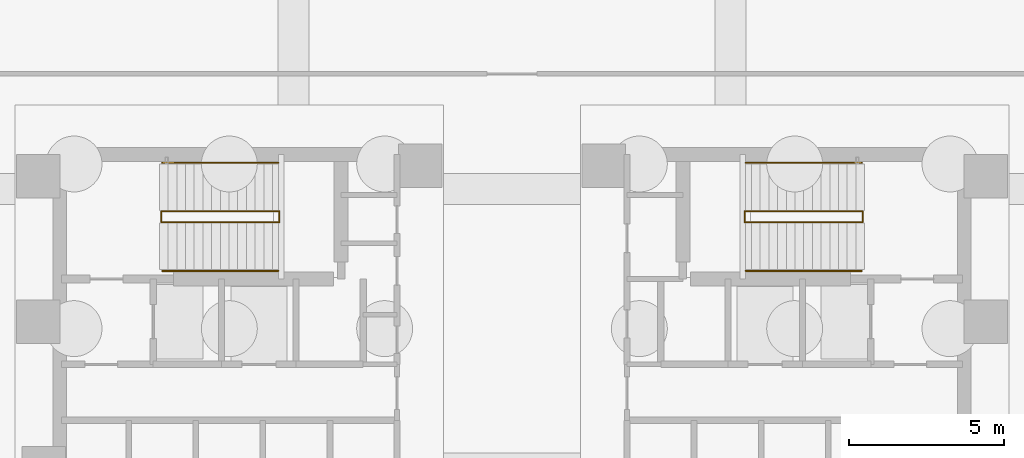
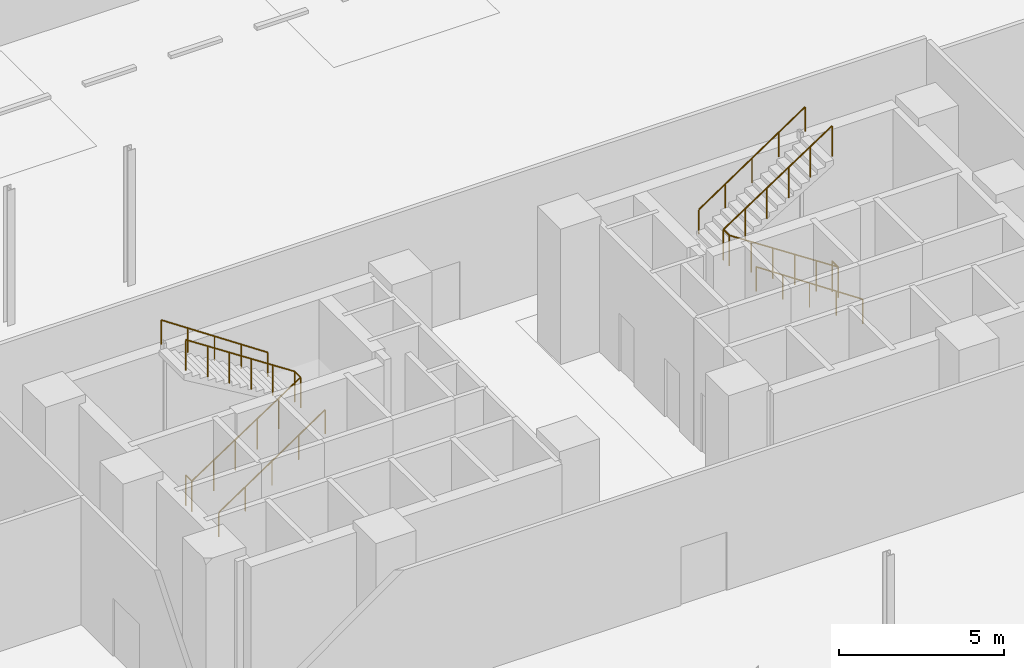
# One storey, part 15 of 16: 6 railings.
"""IFC4 building model written with IfcOpenShell, lengths in metres."""

from ifc_helpers import new_model, si_unit, direction, frame, origin, origin_2d, place, context, subcontext, project, spatial, circle, extrude, material, type_object, element, save


model = new_model("IFC4")

# Units and contexts
model_context = context("Model", 3, precision=1e-05, world=origin(), true_north=direction((0.0, 1.0)))
body_context = subcontext(model_context, "Body", "Model", "MODEL_VIEW")
ifc_project = project(units=[si_unit("LENGTHUNIT", "METRE"), si_unit("AREAUNIT", "SQUARE_METRE"), si_unit("VOLUMEUNIT", "CUBIC_METRE"), si_unit("PLANEANGLEUNIT", "RADIAN"), si_unit("MASSUNIT", "GRAM", prefix="KILO")], contexts=[model_context])

# Site, building, storey
site_placement = place(None, origin())
site = spatial("IfcSite", under=ifc_project, at=site_placement, CompositionType="ELEMENT")
building_placement = place(site_placement, origin())
building = spatial("IfcBuilding", under=site, at=building_placement, Name="Menara Jurai Vektor", CompositionType="ELEMENT")
storey_placement = place(building_placement, frame((0.0, 0.0, -5.0)))
storey = spatial("IfcBuildingStorey", under=building, at=storey_placement, Name="B1", CompositionType="ELEMENT", Elevation=-5.0)

# Railings
ifc_material_1 = material(Name="Painted Galvanised Steel Balustrade", Category="steel")
railing_type_1 = type_object("IfcRailingType", Name="RAIL-STAIR-GUARD", PredefinedType="GUARDRAIL", material=ifc_material_1)
railing_1_placement = place(storey_placement, frame((-11.2900390625, 3.780029296875, 0.0)))
element("IfcRailing", 1, at=railing_1_placement, inside=storey, type_object=railing_type_1, Name="ST1 Stair Guardrail 1 B1", PredefinedType="GUARDRAIL", context=body_context, shape_type="SweptSolid", body=[
    extrude(circle(Radius=0.02392578125, at=origin_2d()), frame((0.0, 0.0, 1.1259765625), z_axis=(0.0, -1.0, 0.0), x_axis=(1.0, 0.0, 0.0)), (0.0, 0.0, 1.0), 0.360107421875),
    extrude(circle(Radius=0.02392578125, at=origin_2d()), frame((0.0, -0.360107421875, 1.1259765625), z_axis=(0.835420324919, 0.0, 0.549611572578), x_axis=(0.0, 1.0, 0.0)), (0.0, 0.0, 1.0), 4.548583984375),
    extrude(circle(Radius=0.02392578125, at=origin_2d()), frame((3.800048828125, -0.360107421875, 3.6259765625), z_axis=(0.0, 1.0, 0.0), x_axis=(-1.0, 0.0, 0.0)), (0.0, 0.0, 1.0), 0.360107421875),
    extrude(circle(Radius=0.02392578125, at=origin_2d()), frame((3.800048828125, 0.0, 3.6259765625), z_axis=(-0.835420324919, 0.0, 0.549611572578), x_axis=(0.0, -1.0, 0.0)), (0.0, 0.0, 1.0), 4.548583984375),
    extrude(circle(Radius=0.02099609375, at=origin_2d()), origin(), (0.0, 0.0, 1.0), 1.101806640625),
    extrude(circle(Radius=0.02099609375, at=origin_2d()), frame((0.0, -0.360107421875, 0.0)), (0.0, 0.0, 1.0), 1.101806640625),
    extrude(circle(Radius=0.02099609375, at=origin_2d()), frame((0.760009765625, -0.360107421875, 0.5)), (0.0, 0.0, 1.0), 1.101806640625),
    extrude(circle(Radius=0.02099609375, at=origin_2d()), frame((1.52001953125, -0.360107421875, 1.0)), (0.0, 0.0, 1.0), 1.101806640625),
    extrude(circle(Radius=0.02099609375, at=origin_2d()), frame((2.280029296875, -0.360107421875, 1.5)), (0.0, 0.0, 1.0), 1.101806640625),
    extrude(circle(Radius=0.02099609375, at=origin_2d()), frame((3.0400390625, -0.360107421875, 2.0)), (0.0, 0.0, 1.0), 1.101806640625),
    extrude(circle(Radius=0.02099609375, at=origin_2d()), frame((3.800048828125, -0.360107421875, 2.5)), (0.0, 0.0, 1.0), 1.101806640625),
    extrude(circle(Radius=0.02099609375, at=origin_2d()), frame((3.800048828125, 0.0, 2.5)), (0.0, 0.0, 1.0), 1.101806640625),
    extrude(circle(Radius=0.02099609375, at=origin_2d()), frame((3.0400390625, 0.0, 3.0)), (0.0, 0.0, 1.0), 1.101806640625),
    extrude(circle(Radius=0.02099609375, at=origin_2d()), frame((2.280029296875, 0.0, 3.5)), (0.0, 0.0, 1.0), 1.101806640625),
    extrude(circle(Radius=0.02099609375, at=origin_2d()), frame((1.52001953125, 0.0, 4.0)), (0.0, 0.0, 1.0), 1.101806640625),
    extrude(circle(Radius=0.02099609375, at=origin_2d()), frame((0.760009765625, 0.0, 4.5)), (0.0, 0.0, 1.0), 1.101806640625),
    extrude(circle(Radius=0.02099609375, at=origin_2d()), frame((0.0, 0.0, 5.0)), (0.0, 0.0, 1.0), 1.101806640625),
])
railing_2_placement = place(storey_placement, frame((11.2900390625, 3.780029296875, 0.0)))
element("IfcRailing", 2, at=railing_2_placement, inside=storey, type_object=railing_type_1, Name="ST2 Stair Guardrail 1 B1", PredefinedType="GUARDRAIL", context=body_context, shape_type="SweptSolid", body=[
    extrude(circle(Radius=0.02392578125, at=origin_2d()), frame((0.0, 0.0, 1.1259765625), z_axis=(0.0, -1.0, 0.0), x_axis=(1.0, 0.0, 0.0)), (0.0, 0.0, 1.0), 0.360107421875),
    extrude(circle(Radius=0.02392578125, at=origin_2d()), frame((0.0, -0.360107421875, 1.1259765625), z_axis=(-0.835420324919, 0.0, 0.549611572578), x_axis=(0.0, -1.0, 0.0)), (0.0, 0.0, 1.0), 4.548583984375),
    extrude(circle(Radius=0.02392578125, at=origin_2d()), frame((-3.800048828125, -0.360107421875, 3.6259765625), z_axis=(0.0, 1.0, 0.0), x_axis=(-1.0, 0.0, 0.0)), (0.0, 0.0, 1.0), 0.360107421875),
    extrude(circle(Radius=0.02392578125, at=origin_2d()), frame((-3.800048828125, 0.0, 3.6259765625), z_axis=(0.835420324919, 0.0, 0.549611572578), x_axis=(0.0, 1.0, 0.0)), (0.0, 0.0, 1.0), 4.548583984375),
    extrude(circle(Radius=0.02099609375, at=origin_2d()), origin(), (0.0, 0.0, 1.0), 1.101806640625),
    extrude(circle(Radius=0.02099609375, at=origin_2d()), frame((0.0, -0.360107421875, 0.0)), (0.0, 0.0, 1.0), 1.101806640625),
    extrude(circle(Radius=0.02099609375, at=origin_2d()), frame((-0.760009765625, -0.360107421875, 0.5)), (0.0, 0.0, 1.0), 1.101806640625),
    extrude(circle(Radius=0.02099609375, at=origin_2d()), frame((-1.52001953125, -0.360107421875, 1.0)), (0.0, 0.0, 1.0), 1.101806640625),
    extrude(circle(Radius=0.02099609375, at=origin_2d()), frame((-2.280029296875, -0.360107421875, 1.5)), (0.0, 0.0, 1.0), 1.101806640625),
    extrude(circle(Radius=0.02099609375, at=origin_2d()), frame((-3.0400390625, -0.360107421875, 2.0)), (0.0, 0.0, 1.0), 1.101806640625),
    extrude(circle(Radius=0.02099609375, at=origin_2d()), frame((-3.800048828125, -0.360107421875, 2.5)), (0.0, 0.0, 1.0), 1.101806640625),
    extrude(circle(Radius=0.02099609375, at=origin_2d()), frame((-3.800048828125, 0.0, 2.5)), (0.0, 0.0, 1.0), 1.101806640625),
    extrude(circle(Radius=0.02099609375, at=origin_2d()), frame((-3.0400390625, 0.0, 3.0)), (0.0, 0.0, 1.0), 1.101806640625),
    extrude(circle(Radius=0.02099609375, at=origin_2d()), frame((-2.280029296875, 0.0, 3.5)), (0.0, 0.0, 1.0), 1.101806640625),
    extrude(circle(Radius=0.02099609375, at=origin_2d()), frame((-1.52001953125, 0.0, 4.0)), (0.0, 0.0, 1.0), 1.101806640625),
    extrude(circle(Radius=0.02099609375, at=origin_2d()), frame((-0.760009765625, 0.0, 4.5)), (0.0, 0.0, 1.0), 1.101806640625),
    extrude(circle(Radius=0.02099609375, at=origin_2d()), frame((0.0, 0.0, 5.0)), (0.0, 0.0, 1.0), 1.101806640625),
])
ifc_material_2 = material(Name="Brushed Stainless Steel Handrail", Category="steel")
railing_type_2 = type_object("IfcRailingType", Name="RAIL-STAIR-HAND", PredefinedType="HANDRAIL", material=ifc_material_2)
railing_3_placement = place(storey_placement, frame((-11.25, 1.860107421875, 0.0)))
element("IfcRailing", 3, at=railing_3_placement, inside=storey, type_object=railing_type_2, Name="ST1 Stair Handrail 1 B1", PredefinedType="HANDRAIL", context=body_context, shape_type="SweptSolid", body=[
    extrude(circle(Radius=0.02392578125, at=origin_2d()), frame((0.0, 0.0, 0.89599609375), z_axis=(0.829983009383, 0.0, 0.557788673366), x_axis=(0.0, 1.0, 0.0)), (0.0, 0.0, 1.0), 4.48193359375),
    extrude(circle(Radius=0.02099609375, at=origin_2d()), origin(), (0.0, 0.0, 1.0), 0.871826171875),
    extrude(circle(Radius=0.02099609375, at=origin_2d()), frame((0.929931640625, 0.0, 0.625)), (0.0, 0.0, 1.0), 0.871826171875),
    extrude(circle(Radius=0.02099609375, at=origin_2d()), frame((1.85986328125, 0.0, 1.25)), (0.0, 0.0, 1.0), 0.871826171875),
    extrude(circle(Radius=0.02099609375, at=origin_2d()), frame((2.7900390625, 0.0, 1.875)), (0.0, 0.0, 1.0), 0.871826171875),
    extrude(circle(Radius=0.02099609375, at=origin_2d()), frame((3.719970703125, 0.0, 2.5)), (0.0, 0.0, 1.0), 0.871826171875),
])
for number, where, name in (
    (4, (-7.530029296875, 5.340087890625, 2.5), "ST1 Stair Handrail 2 B1"),
    (5, (11.25, 1.860107421875, 0.0), "ST2 Stair Handrail 1 B1"),
):
    element("IfcRailing", number, at=place(storey_placement, frame(where)), inside=storey, type_object=railing_type_2, Name=name, PredefinedType="HANDRAIL", context=body_context, shape_type="SweptSolid", body=[
        extrude(circle(Radius=0.02392578125, at=origin_2d()), frame((0.0, 0.0, 0.89599609375), z_axis=(-0.829983009383, 0.0, 0.557788673366), x_axis=(0.0, -1.0, 0.0)), (0.0, 0.0, 1.0), 4.48193359375),
        extrude(circle(Radius=0.02099609375, at=origin_2d()), origin(), (0.0, 0.0, 1.0), 0.871826171875),
        extrude(circle(Radius=0.02099609375, at=origin_2d()), frame((-0.929931640625, 0.0, 0.625)), (0.0, 0.0, 1.0), 0.871826171875),
        extrude(circle(Radius=0.02099609375, at=origin_2d()), frame((-1.85986328125, 0.0, 1.25)), (0.0, 0.0, 1.0), 0.871826171875),
        extrude(circle(Radius=0.02099609375, at=origin_2d()), frame((-2.7900390625, 0.0, 1.875)), (0.0, 0.0, 1.0), 0.871826171875),
        extrude(circle(Radius=0.02099609375, at=origin_2d()), frame((-3.719970703125, 0.0, 2.5)), (0.0, 0.0, 1.0), 0.871826171875),
    ])
railing_4_placement = place(storey_placement, frame((7.530029296875, 5.340087890625, 2.5)))
element("IfcRailing", 6, at=railing_4_placement, inside=storey, type_object=railing_type_2, Name="ST2 Stair Handrail 2 B1", PredefinedType="HANDRAIL", context=body_context, shape_type="SweptSolid", body=[
    extrude(circle(Radius=0.02392578125, at=origin_2d()), frame((0.0, 0.0, 0.89599609375), z_axis=(0.829983009383, 0.0, 0.557788673366), x_axis=(0.0, 1.0, 0.0)), (0.0, 0.0, 1.0), 4.48193359375),
    extrude(circle(Radius=0.02099609375, at=origin_2d()), origin(), (0.0, 0.0, 1.0), 0.871826171875),
    extrude(circle(Radius=0.02099609375, at=origin_2d()), frame((0.929931640625, 0.0, 0.625)), (0.0, 0.0, 1.0), 0.871826171875),
    extrude(circle(Radius=0.02099609375, at=origin_2d()), frame((1.85986328125, 0.0, 1.25)), (0.0, 0.0, 1.0), 0.871826171875),
    extrude(circle(Radius=0.02099609375, at=origin_2d()), frame((2.7900390625, 0.0, 1.875)), (0.0, 0.0, 1.0), 0.871826171875),
    extrude(circle(Radius=0.02099609375, at=origin_2d()), frame((3.719970703125, 0.0, 2.5)), (0.0, 0.0, 1.0), 0.871826171875),
])

save(model, "model.ifc")
